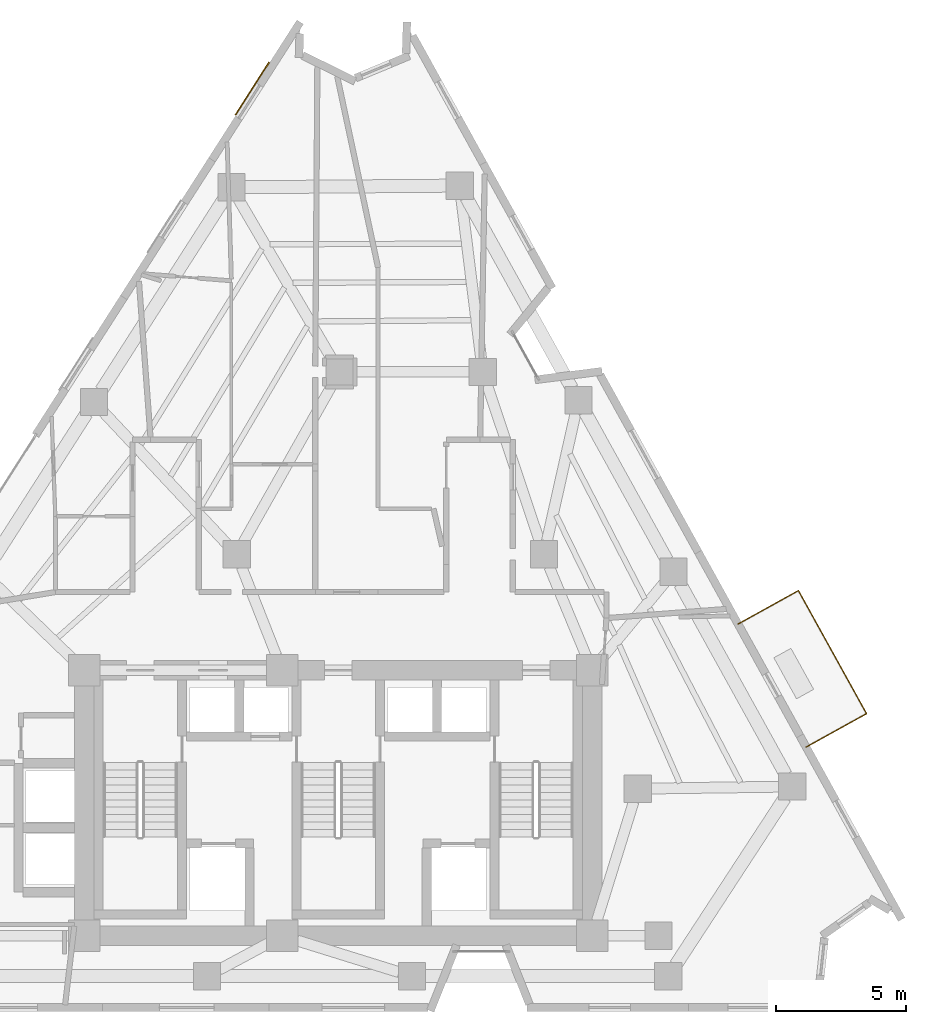
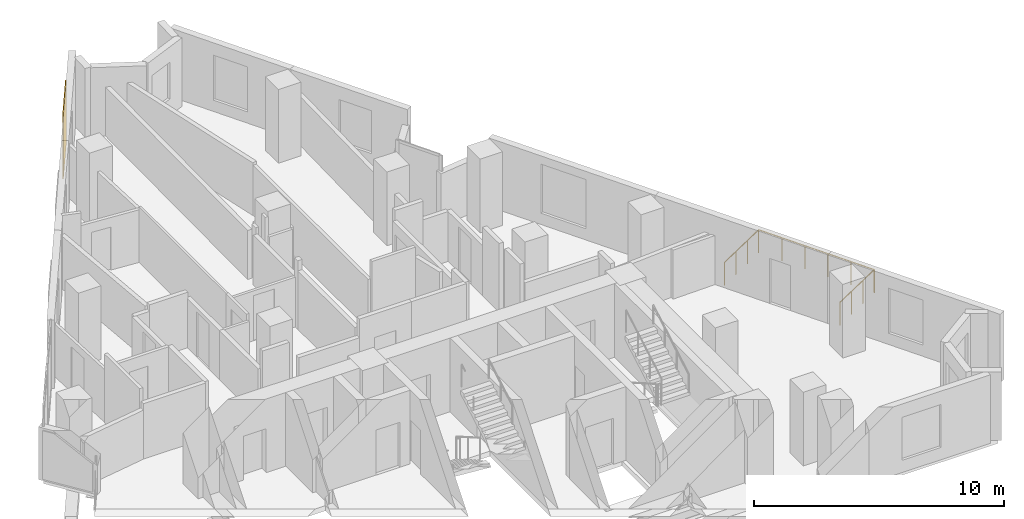
# One storey, part 11 of 11: 1 covering, 1 railing.
"""IFC4 building model written with IfcOpenShell, lengths in metres."""

from ifc_helpers import new_model, si_unit, direction, frame, origin, origin_2d, place, context, subcontext, project, spatial, rectangle, circle, extrude, material, layer, layer_set, type_object, element, save


model = new_model("IFC4")

# Units and contexts
model_context = context("Model", 3, precision=1e-05, world=origin(), true_north=direction((0.0, 1.0)))
body_context = subcontext(model_context, "Body", "Model", "MODEL_VIEW")
ifc_project = project(units=[si_unit("LENGTHUNIT", "METRE"), si_unit("AREAUNIT", "SQUARE_METRE"), si_unit("VOLUMEUNIT", "CUBIC_METRE"), si_unit("PLANEANGLEUNIT", "RADIAN"), si_unit("MASSUNIT", "GRAM", prefix="KILO")], contexts=[model_context])

# Site, building, storey
site_placement = place(None, origin())
site = spatial("IfcSite", under=ifc_project, at=site_placement, CompositionType="ELEMENT")
building_placement = place(site_placement, origin())
building = spatial("IfcBuilding", under=site, at=building_placement, Name="Almagre Mirador Tower", CompositionType="ELEMENT")
storey_placement = place(building_placement, frame((0.0, 0.0, 160.800048828125)))
storey = spatial("IfcBuildingStorey", under=building, at=storey_placement, Name="L41", CompositionType="ELEMENT", Elevation=160.800048828125)

# Covering
ifc_material_1 = material(Name="Almagre terracotta architectural cladding", Category="masonry")
ifc_layer = layer(ifc_material_1, 0.044921875)
ifc_layer_set = layer_set([ifc_layer], Name="Almagre terracotta architectural cladding")
covering_type = type_object("IfcCoveringType", Name="COV-CLAD-ALMAGRE", PredefinedType="CLADDING", material=ifc_layer_set)
covering_placement = place(storey_placement, frame((34.0029296875, 37.081787109375, 0.10009765625), z_axis=(0.0, 0.0, 1.0), x_axis=(0.539505758171, 0.841981910079, 0.0)))
element("IfcCovering", 1, at=covering_placement, inside=storey, type_object=covering_type, Name="L41 almagre terracotta pier cladding", PredefinedType="CLADDING", context=body_context, shape_type="SweptSolid", body=[
    extrude(rectangle(XDim=2.39990234375, YDim=0.044921875, at=origin_2d()), origin(), (0.0, 0.0, 1.0), 3.14990234375),
])

# Railing
ifc_material_2 = material(Name="Black anodized aluminium", Category="aluminium")
railing_type = type_object("IfcRailingType", Name="RLG-BAL-1150", PredefinedType="BALUSTRADE", material=ifc_material_2)
railing_placement = place(storey_placement, frame((55.26708984375, 11.798095703125, 0.0)))
element("IfcRailing", 2, at=railing_placement, inside=storey, type_object=railing_type, Name="L41 east balcony balustrade 1", PredefinedType="BALUSTRADE", context=body_context, shape_type="SweptSolid", body=[
    extrude(circle(Radius=0.02392578125, at=origin_2d()), frame((0.0, 0.0, 1.1259765625), z_axis=(0.875003321676, 0.484116914656, 0.0), x_axis=(-0.484116914656, 0.875003321676, 0.0)), (0.0, 0.0, 1.0), 2.650146484375),
    extrude(circle(Radius=0.02392578125, at=origin_2d()), frame((2.31884765625, 1.282958984375, 1.1259765625), z_axis=(-0.484237401954, 0.874936648306, 0.0), x_axis=(-0.874936648306, -0.484237401954, 0.0)), (0.0, 0.0, 1.0), 5.400146484375),
    extrude(circle(Radius=0.02392578125, at=origin_2d()), frame((-0.296142578125, 6.0078125, 1.1259765625), z_axis=(-0.874760713898, -0.48455515003, 0.0), x_axis=(0.48455515003, -0.874760713898, 0.0)), (0.0, 0.0, 1.0), 2.649658203125),
    extrude(circle(Radius=0.02099609375, at=origin_2d()), origin(), (0.0, 0.0, 1.0), 1.101806640625),
    extrude(circle(Radius=0.02099609375, at=origin_2d()), frame((0.77294921875, 0.427734375, 0.0)), (0.0, 0.0, 1.0), 1.101806640625),
    extrude(circle(Radius=0.02099609375, at=origin_2d()), frame((1.5458984375, 0.855224609375, 0.0)), (0.0, 0.0, 1.0), 1.101806640625),
    extrude(circle(Radius=0.02099609375, at=origin_2d()), frame((2.31884765625, 1.282958984375, 0.0)), (0.0, 0.0, 1.0), 1.101806640625),
    extrude(circle(Radius=0.02099609375, at=origin_2d()), frame((1.7958984375, 2.22802734375, 0.0)), (0.0, 0.0, 1.0), 1.101806640625),
    extrude(circle(Radius=0.02099609375, at=origin_2d()), frame((1.27294921875, 3.1728515625, 0.0)), (0.0, 0.0, 1.0), 1.101806640625),
    extrude(circle(Radius=0.02099609375, at=origin_2d()), frame((0.749755859375, 4.117919921875, 0.0)), (0.0, 0.0, 1.0), 1.101806640625),
    extrude(circle(Radius=0.02099609375, at=origin_2d()), frame((0.226806640625, 5.062744140625, 0.0)), (0.0, 0.0, 1.0), 1.101806640625),
    extrude(circle(Radius=0.02099609375, at=origin_2d()), frame((-0.296142578125, 6.0078125, 0.0)), (0.0, 0.0, 1.0), 1.101806640625),
    extrude(circle(Radius=0.02099609375, at=origin_2d()), frame((-1.06884765625, 5.579833984375, 0.0)), (0.0, 0.0, 1.0), 1.101806640625),
    extrude(circle(Radius=0.02099609375, at=origin_2d()), frame((-1.84130859375, 5.15185546875, 0.0)), (0.0, 0.0, 1.0), 1.101806640625),
    extrude(circle(Radius=0.02099609375, at=origin_2d()), frame((-2.614013671875, 4.723876953125, 0.0)), (0.0, 0.0, 1.0), 1.101806640625),
])

save(model, "model.ifc")
